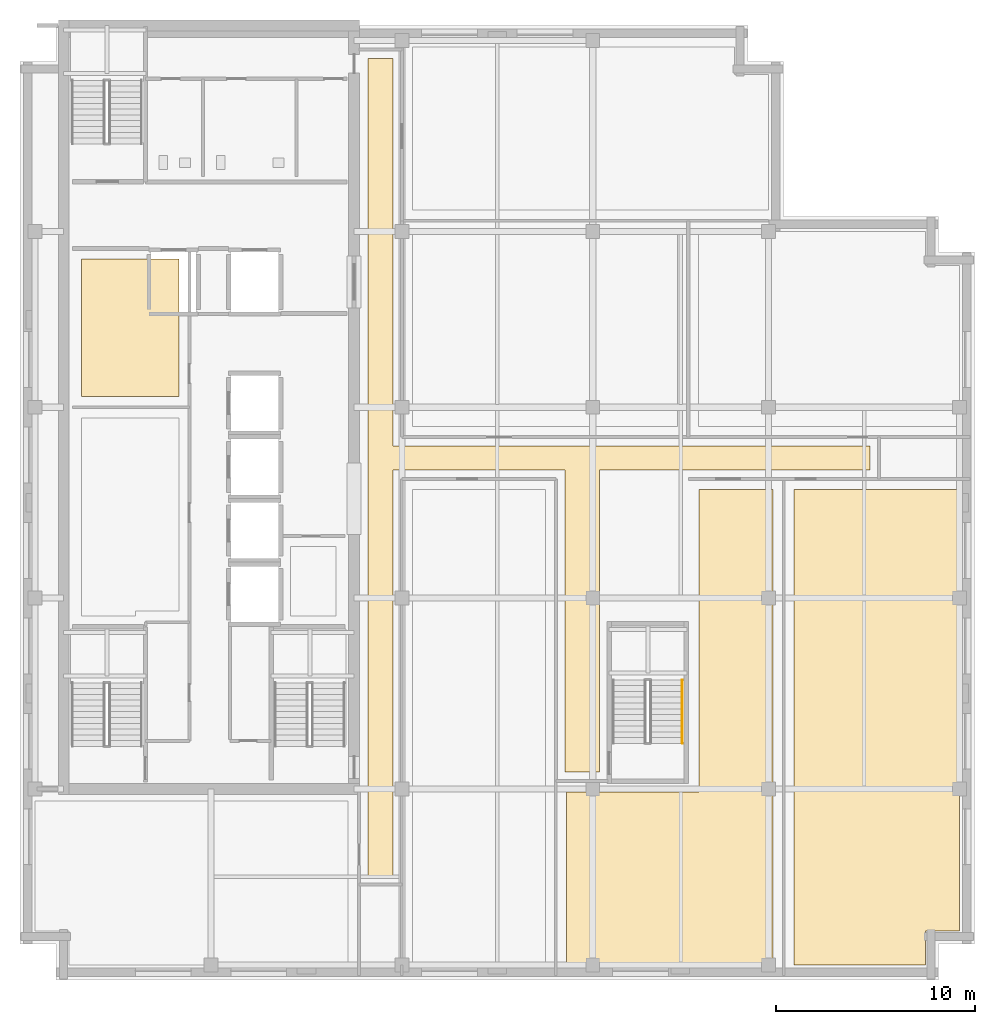
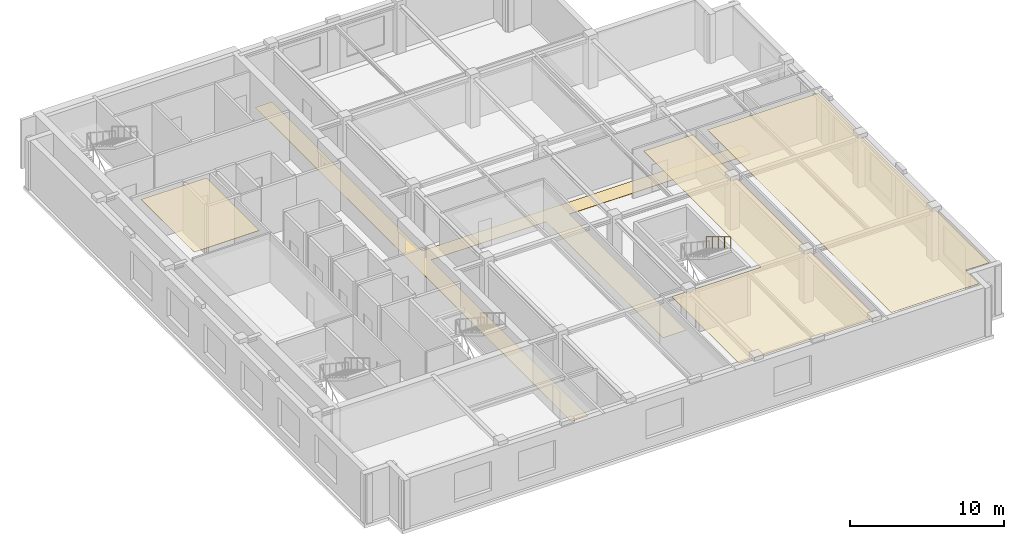
# One storey, part 7 of 10: 4 coverings, 1 railing.
"""IFC4 building model written with IfcOpenShell, lengths in metres."""

from ifc_helpers import new_model, si_unit, direction, frame, origin, origin_2d, place, context, subcontext, project, spatial, polyline, circle, outline, extrude, material, layer, layer_set, type_object, element, save


model = new_model("IFC4")

# Units and contexts
model_context = context("Model", 3, precision=1e-05, world=origin(), true_north=direction((0.0, 1.0)))
body_context = subcontext(model_context, "Body", "Model", "MODEL_VIEW")
ifc_project = project(units=[si_unit("LENGTHUNIT", "METRE"), si_unit("AREAUNIT", "SQUARE_METRE"), si_unit("VOLUMEUNIT", "CUBIC_METRE"), si_unit("PLANEANGLEUNIT", "RADIAN"), si_unit("MASSUNIT", "GRAM", prefix="KILO")], contexts=[model_context])

# Site, building, storey
site_placement = place(None, origin())
site = spatial("IfcSite", under=ifc_project, at=site_placement, CompositionType="ELEMENT")
building_placement = place(site_placement, origin())
building = spatial("IfcBuilding", under=site, at=building_placement, Name="Norrvale University Quadrangle", CompositionType="ELEMENT")
storey_placement = place(building_placement, frame((0.0, 0.0, 303.800048828125)))
storey = spatial("IfcBuildingStorey", under=building, at=storey_placement, Name="L77", CompositionType="ELEMENT", Elevation=303.800048828125)

# Coverings
ifc_material_1 = material(Name="Perforated Acoustic Mineral Ceiling")
ifc_layer_1 = layer(ifc_material_1, 0.02490234375, Name="Perforated Acoustic Mineral Ceiling")
ifc_layer_set_1 = layer_set([ifc_layer_1], Name="Perforated Acoustic Mineral Ceiling")
covering_type_1 = type_object("IfcCoveringType", Name="Covering Acoustic Ceiling 25", PredefinedType="CEILING", material=ifc_layer_set_1)
covering_1_placement = place(storey_placement, frame((0.0, 0.0, 3.85498046875)))
element("IfcCovering", 1, at=covering_1_placement, inside=storey, type_object=covering_type_1, Name="Acoustic Ceiling RM-L77-REC3", PredefinedType="CEILING", context=body_context, shape_type="SweptSolid", body=[
    extrude(outline(polyline([(3.10009765625, 29.35009765625), (3.10009765625, 36.25), (8.0, 36.25), (8.0, 29.35009765625), (3.10009765625, 29.35009765625)])), origin(), (0.0, 0.0, 1.0), 0.02490234375),
])
covering_2_placement = place(storey_placement, frame((0.0, 0.0, 3.85498046875)))
element("IfcCovering", 2, at=covering_2_placement, inside=storey, type_object=covering_type_1, Name="Acoustic Ceiling RM-L77-SE2", PredefinedType="CEILING", context=body_context, shape_type="SweptSolid", body=[
    extrude(outline(polyline([(27.47998046875, 9.449951171875), (34.14990234375, 9.449951171875), (34.14990234375, 24.669921875), (37.8701171875, 24.669921875), (37.8701171875, 0.75), (27.47998046875, 0.75), (27.47998046875, 9.449951171875)])), origin(), (0.0, 0.0, 1.0), 0.02490234375),
])
covering_3_placement = place(storey_placement, frame((0.0, 0.0, 3.85498046875)))
element("IfcCovering", 3, at=covering_3_placement, inside=storey, type_object=covering_type_1, Name="Acoustic Ceiling RM-L77-SE3", PredefinedType="CEILING", context=body_context, shape_type="SweptSolid", body=[
    extrude(outline(polyline([(38.929931640625, 0.75), (38.929931640625, 24.669921875), (47.25, 24.669921875), (47.25, 2.469970703125), (45.530029296875, 2.469970703125), (45.530029296875, 0.75), (38.929931640625, 0.75)])), origin(), (0.0, 0.0, 1.0), 0.02490234375),
])
ifc_material_2 = material(Name="Polished Terrazzo Flooring")
ifc_layer_2 = layer(ifc_material_2, 0.02490234375, Name="Polished Terrazzo Flooring")
ifc_layer_set_2 = layer_set([ifc_layer_2], Name="Polished Terrazzo Flooring")
covering_type_2 = type_object("IfcCoveringType", Name="Covering Terrazzo Floor 30", PredefinedType="FLOORING", material=ifc_layer_set_2)
covering_4_placement = place(storey_placement, origin())
element("IfcCovering", 4, at=covering_4_placement, inside=storey, type_object=covering_type_2, Name="Terrazzo Flooring RM-L77-CORR1", PredefinedType="FLOORING", context=body_context, shape_type="SweptSolid", body=[
    extrude(outline(polyline([(17.5, 5.25), (17.5, 46.35009765625), (18.75, 46.35009765625), (18.75, 26.85009765625), (42.75, 26.85009765625), (42.75, 25.64990234375), (29.1298828125, 25.64990234375), (29.1298828125, 10.449951171875), (27.39990234375, 10.449951171875), (27.39990234375, 25.64990234375), (18.75, 25.64990234375), (18.75, 5.25), (17.5, 5.25)])), origin(), (0.0, 0.0, 1.0), 0.02490234375),
])

# Railing
ifc_material_3 = material(Name="Stainless Steel 316L Handrail", Category="steel")
railing_type = type_object("IfcRailingType", Name="Railing Stair Handrail 920", PredefinedType="HANDRAIL", material=ifc_material_3)
railing_placement = place(storey_placement, frame((33.31005859375, 15.090087890625, 2.27490234375)))
element("IfcRailing", 5, at=railing_placement, inside=storey, type_object=railing_type, Name="Stair Upper Flight Handrail ST-04 L77", PredefinedType="HANDRAIL", context=body_context, shape_type="SweptSolid", body=[
    extrude(circle(Radius=0.02392578125, at=origin_2d()), frame((0.0, 0.0, 0.89599609375), z_axis=(0.0, -0.856195157123, 0.516652545643), x_axis=(1.0, 0.0, 0.0)), (0.0, 0.0, 1.0), 3.72607421875),
    extrude(circle(Radius=0.02099609375, at=origin_2d()), origin(), (0.0, 0.0, 1.0), 0.871826171875),
    extrude(circle(Radius=0.02099609375, at=origin_2d()), frame((0.0, -0.797607421875, 0.481201171875)), (0.0, 0.0, 1.0), 0.871826171875),
    extrude(circle(Radius=0.02099609375, at=origin_2d()), frame((0.0, -1.59521484375, 0.96240234375)), (0.0, 0.0, 1.0), 0.871826171875),
    extrude(circle(Radius=0.02099609375, at=origin_2d()), frame((0.0, -2.392578125, 1.44384765625)), (0.0, 0.0, 1.0), 0.871826171875),
    extrude(circle(Radius=0.02099609375, at=origin_2d()), frame((0.0, -3.190185546875, 1.925048828125)), (0.0, 0.0, 1.0), 0.871826171875),
])

save(model, "model.ifc")
